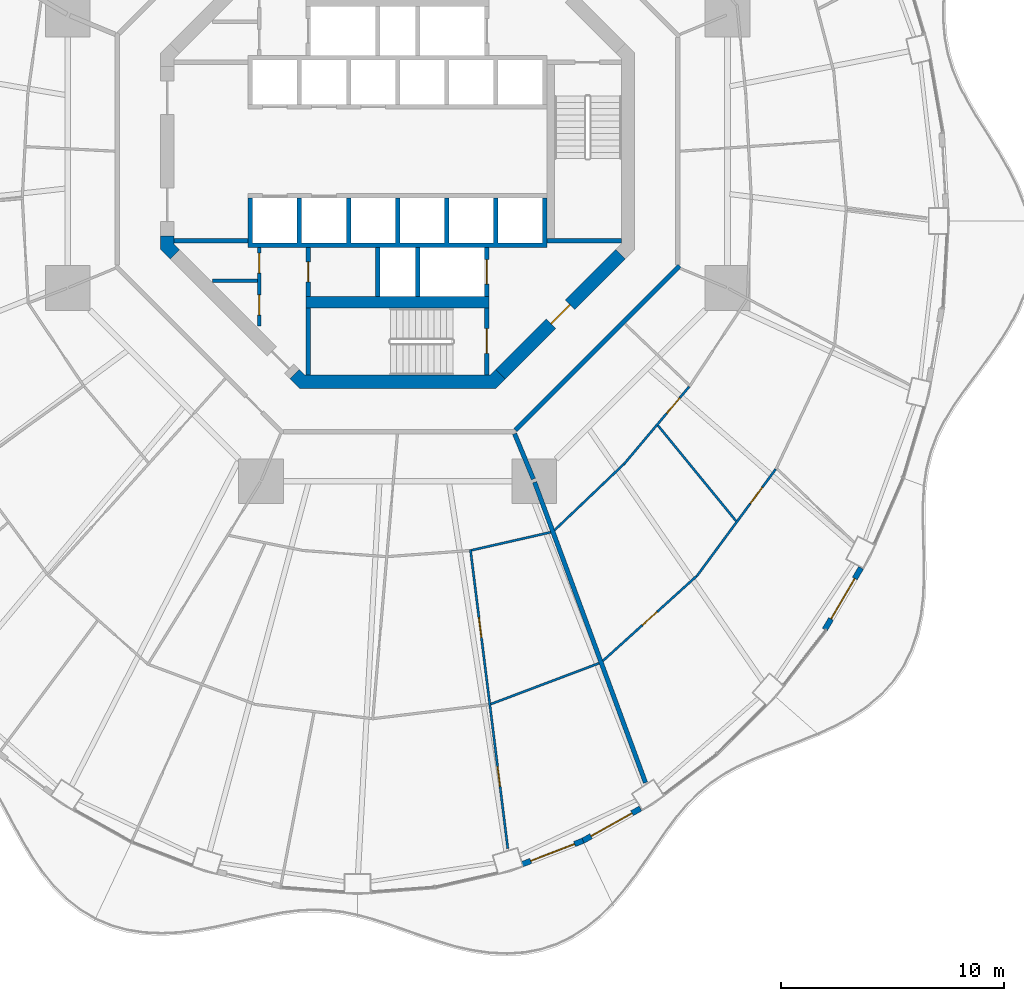
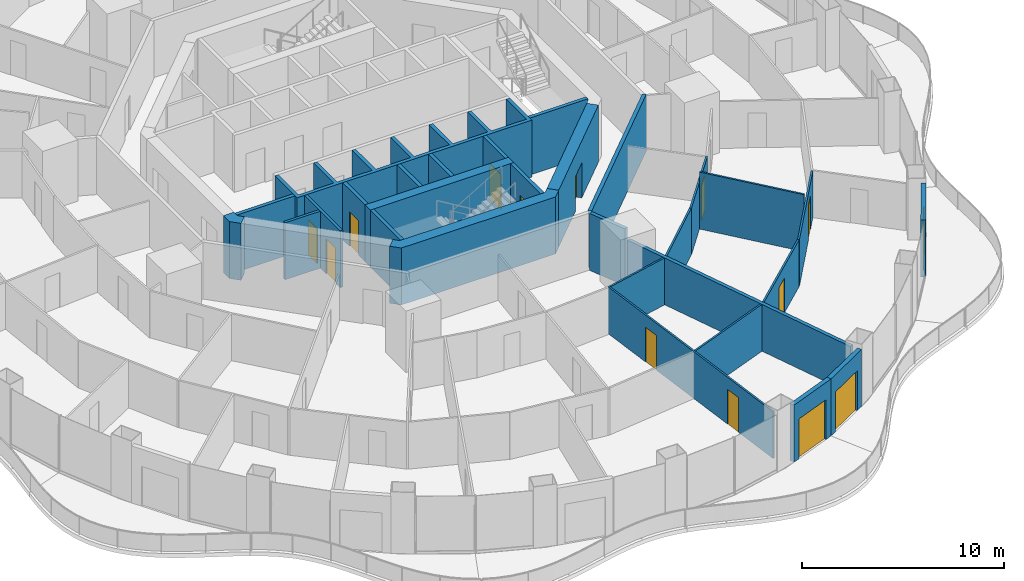
# One storey, part 12 of 19: 29 walls, 14 doors, 14 openings.
"""IFC4 building model written with IfcOpenShell, lengths in metres."""

import ifcopenshell
import ifcopenshell.guid

model = None  # the IFC model being written
_history = None  # IfcOwnerHistory: only IFC2X3 demands one
_inside = {}  # id of a spatial element -> (the spatial element, [elements in it])
_under = {}  # id of a project, library or spatial element -> (it, [spatial elements below it])
_declared = {}  # id of a project -> (the project, [libraries it declares])
_typed = {}  # id of a type object -> (the type object, [elements of that type])
_made_of = {}  # id of a material, layer set ... -> (it, [elements and type objects made of it])


def new_model(schema):
    """Start an empty IFC model of exactly this schema.

    Asked for "IFC4X3", IfcOpenShell would pick the latest addendum, in which some entities
    have other attributes; the version numbers below select the first issue.
    IFC2X3 requires an IfcOwnerHistory on every rooted entity: one is made here for all.
    """
    global model, _history
    if schema == "IFC4X3":
        model = ifcopenshell.file(schema_version=(4, 3, 0, 0))
    else:
        model = ifcopenshell.file(schema=schema)
    _inside.clear()
    _under.clear()
    _declared.clear()
    _typed.clear()
    _made_of.clear()
    _history = None
    if model.schema == "IFC2X3":
        org = make("IfcOrganization", Name="unknown")
        user = make(
            "IfcPersonAndOrganization",
            ThePerson=make("IfcPerson", FamilyName="unknown"),
            TheOrganization=org,
        )
        app = make(
            "IfcApplication",
            ApplicationDeveloper=org,
            Version="unknown",
            ApplicationFullName="unknown",
            ApplicationIdentifier="unknown",
        )
        _history = make(
            "IfcOwnerHistory",
            OwningUser=user,
            OwningApplication=app,
            ChangeAction="ADDED",
            CreationDate=0,
        )
    return model


def make(cls, **values):
    """One entity of the class cls with the attributes given. An attribute that is None is left unset."""
    return model.create_entity(
        cls, **{name: value for name, value in values.items() if value is not None}
    )


def rooted(cls, **values):
    """An entity with a GlobalId (a new one), such as an element, a storey or a relation."""
    return make(cls, GlobalId=ifcopenshell.guid.new(), OwnerHistory=_history, **values)


def si_unit(unit_type, name, prefix=None):
    """IfcSIUnit, for example si_unit("LENGTHUNIT", "METRE", prefix="MILLI")."""
    return make("IfcSIUnit", UnitType=unit_type, Prefix=prefix, Name=name)


def assignment(units):
    """IfcUnitAssignment: the units of a project."""
    return None if units is None else make("IfcUnitAssignment", Units=units)


def point(xyz):
    """IfcCartesianPoint."""
    return None if xyz is None else make("IfcCartesianPoint", Coordinates=xyz)


def direction(xyz):
    """IfcDirection."""
    return None if xyz is None else make("IfcDirection", DirectionRatios=xyz)


def frame(location, z_axis=None, x_axis=None):
    """IfcAxis2Placement3D, a coordinate frame: its origin and axes. An axis left out is left unset."""
    return make(
        "IfcAxis2Placement3D",
        Location=point(location),
        Axis=direction(z_axis),
        RefDirection=direction(x_axis),
    )


def frame_2d(location, x_axis=None):
    """IfcAxis2Placement2D, a coordinate frame in the plane: its origin and x axis."""
    return make(
        "IfcAxis2Placement2D", Location=point(location), RefDirection=direction(x_axis)
    )


def origin():
    """The frame at (0, 0, 0) with its axes left unset."""
    return frame((0.0, 0.0, 0.0))


def place(relative_to, where):
    """IfcLocalPlacement: puts the frame where relative to a parent placement (None: the world)."""
    return make(
        "IfcLocalPlacement", PlacementRelTo=relative_to, RelativePlacement=where
    )


def context(
    kind, dimensions, precision=None, world=None, true_north=None, identifier=None
):
    """IfcGeometricRepresentationContext, for example the 3D "Model" context."""
    return make(
        "IfcGeometricRepresentationContext",
        ContextIdentifier=identifier,
        ContextType=kind,
        CoordinateSpaceDimension=dimensions,
        Precision=precision,
        WorldCoordinateSystem=world,
        TrueNorth=true_north,
    )


def subcontext(parent, identifier, kind, view, scale=None):
    """IfcGeometricRepresentationSubContext, for example "Body" below "Model"."""
    return make(
        "IfcGeometricRepresentationSubContext",
        ContextIdentifier=identifier,
        ContextType=kind,
        ParentContext=parent,
        TargetScale=scale,
        TargetView=view,
    )


def project(units=None, contexts=None):
    """IfcProject with its units and contexts."""
    return rooted(
        "IfcProject",
        Name="project",
        RepresentationContexts=contexts,
        UnitsInContext=assignment(units),
    )


def spatial(cls, under=None, at=None, **own):
    """A site, building, storey or space (cls), placed at a placement, below another one or the project."""
    s = rooted(cls, ObjectPlacement=at, **own)
    if under is not None:
        _under.setdefault(under.id(), (under, []))[1].append(s)
    return s


def polyline(points):
    """IfcPolyline through the points."""
    return make("IfcPolyline", Points=[point(p) for p in points])


def profile(cls, at=None, kind="AREA", **sizes):
    """A parametric profile (cls). Its sizes go by their IFC names, for example OverallWidth=200.0."""
    return make(cls, ProfileType=kind, Position=at, **sizes)


def rectangle(**sizes):
    """IfcRectangleProfileDef."""
    return profile("IfcRectangleProfileDef", **sizes)


def outline(outer, holes=None, kind="AREA"):
    """IfcArbitraryClosedProfileDef: a profile drawn as a closed curve; with holes, ...WithVoids."""
    if holes is None:
        return make("IfcArbitraryClosedProfileDef", ProfileType=kind, OuterCurve=outer)
    return make(
        "IfcArbitraryProfileDefWithVoids",
        ProfileType=kind,
        OuterCurve=outer,
        InnerCurves=holes,
    )


def extrude(swept, where, along, depth):
    """IfcExtrudedAreaSolid: the profile swept, set in the frame where, extruded along a direction by depth."""
    return make(
        "IfcExtrudedAreaSolid",
        SweptArea=swept,
        Position=where,
        ExtrudedDirection=direction(along),
        Depth=depth,
    )


def shape(context_of_items, identifier, shape_type, items):
    """IfcShapeRepresentation: the items that make up one representation, for example the "Body"."""
    return make(
        "IfcShapeRepresentation",
        ContextOfItems=context_of_items,
        RepresentationIdentifier=identifier,
        RepresentationType=shape_type,
        Items=items,
    )


def material(Name=None, Category=None):
    """IfcMaterial."""
    return make("IfcMaterial", Name=Name, Category=Category)


def layer(
    of_material, thickness, ventilated=None, Name=None, Category=None, Priority=None
):
    """IfcMaterialLayer: one layer of a wall or slab, of a material (None: an air gap)."""
    return make(
        "IfcMaterialLayer",
        Material=of_material,
        LayerThickness=thickness,
        IsVentilated=ventilated,
        Name=Name,
        Category=Category,
        Priority=Priority,
    )


def layer_set(layers, Name=None):
    """IfcMaterialLayerSet."""
    return make("IfcMaterialLayerSet", MaterialLayers=layers, LayerSetName=Name)


def made_of(thing, what):
    """Note that an element or type object is made of a material, layer set ...; save() writes the relation."""
    if what is not None:
        _made_of.setdefault(what.id(), (what, []))[1].append(thing)
    return thing


def type_object(cls, material=None, **own):
    """A type object (cls), such as IfcWallType, which elements share."""
    return made_of(rooted(cls, **own), material)


def element(
    cls,
    number,
    at=None,
    inside=None,
    cuts=None,
    type_object=None,
    material=None,
    context=None,
    identifier="Body",
    shape_type=None,
    held_by="IfcProductDefinitionShape",
    body=None,
    shapes=None,
    **own,
):
    """One element of the class cls, such as IfcWall. Its Tag is "e" and its number.

    at: its placement. inside: the storey or other place that contains it. cuts: it is an
    opening in that element (IfcRelVoidsElement). A single representation is given by context,
    identifier, shape_type and body (its items); several are given by shapes. held_by: the class
    of the entity that holds the representations. save() writes the other relations.
    """
    e = rooted(cls, Tag="e%d" % number, ObjectPlacement=at, **own)
    if body is not None:
        shapes = [shape(context, identifier, shape_type, body)]
    if shapes is not None:
        e.Representation = make(held_by, Representations=shapes)
    if inside is not None:
        _inside.setdefault(inside.id(), (inside, []))[1].append(e)
    if cuts is not None:
        rooted(
            "IfcRelVoidsElement", RelatingBuildingElement=cuts, RelatedOpeningElement=e
        )
    if type_object is not None:
        _typed.setdefault(type_object.id(), (type_object, []))[1].append(e)
    return made_of(e, material)


def fill(opening, filler):
    """IfcRelFillsElement: the door or window that sits in an opening."""
    return rooted(
        "IfcRelFillsElement",
        RelatingOpeningElement=opening,
        RelatedBuildingElement=filler,
    )


def aggregate(whole, parts):
    """IfcRelAggregates: a whole, such as a stair, and the parts it consists of."""
    return rooted("IfcRelAggregates", RelatingObject=whole, RelatedObjects=parts)


def save(model, path):
    """Write the relations noted so far, then the file.

    IfcRelAggregates (storeys below a building ...), IfcRelContainedInSpatialStructure (elements
    in a storey), IfcRelDefinesByType, IfcRelAssociatesMaterial and IfcRelDeclares: one each for
    every whole, place, type object, material and project.
    """
    for whole, parts in _under.values():
        aggregate(whole, parts)
    for where, things in _inside.values():
        rooted(
            "IfcRelContainedInSpatialStructure",
            RelatedElements=things,
            RelatingStructure=where,
        )
    for kind, things in _typed.values():
        rooted("IfcRelDefinesByType", RelatedObjects=things, RelatingType=kind)
    for what, things in _made_of.values():
        rooted("IfcRelAssociatesMaterial", RelatedObjects=things, RelatingMaterial=what)
    for by, libraries in _declared.values():
        rooted("IfcRelDeclares", RelatingContext=by, RelatedDefinitions=libraries)
    model.write(path)


model = new_model("IFC4")

# Units and contexts
model_context = context("Model", 3, precision=1e-05, world=origin(), true_north=direction((0.0, 1.0)))
body_context = subcontext(model_context, "Body", "Model", "MODEL_VIEW")
ifc_project = project(units=[si_unit("LENGTHUNIT", "METRE"), si_unit("AREAUNIT", "SQUARE_METRE"), si_unit("VOLUMEUNIT", "CUBIC_METRE"), si_unit("PLANEANGLEUNIT", "RADIAN"), si_unit("MASSUNIT", "GRAM", prefix="KILO")], contexts=[model_context])

# Site, building, storey
site_placement = place(None, origin())
site = spatial("IfcSite", under=ifc_project, at=site_placement, CompositionType="ELEMENT")
building_placement = place(site_placement, origin())
building = spatial("IfcBuilding", under=site, at=building_placement, Name="Nagisa Residences", CompositionType="ELEMENT")
storey_placement = place(building_placement, frame((0.0, 0.0, 127.0)))
storey = spatial("IfcBuildingStorey", under=building, at=storey_placement, Name="L31", CompositionType="ELEMENT", Elevation=127.0)

# Walls
ifc_material_1 = material(Name="Gypsum board on steel studs", Category="steel")
ifc_layer_1 = layer(ifc_material_1, 0.199951171875)
ifc_layer_set_1 = layer_set([ifc_layer_1], Name="Apartment compartment wall EI60 200")
wall_type_1 = type_object("IfcWallType", Name="Apartment compartment wall EI60 200", PredefinedType="PARTITIONING", material=ifc_layer_set_1)
wall_1_placement = place(storey_placement, frame((5.24267578125, -12.6572265625, 0.0), z_axis=(0.0, 0.0, 1.0), x_axis=(0.38273085373, -0.923859888513, 0.0)))
element("IfcWall", 1, at=wall_1_placement, inside=storey, type_object=wall_type_1, Name="wall:L31:u04", PredefinedType="PARTITIONING", context=body_context, shape_type="SweptSolid", body=[
    extrude(rectangle(XDim=2.199462890625, YDim=0.199951171875, at=frame_2d((1.099609375, 0.0))), origin(), (0.0, 0.0, 1.0), 3.43994140625),
])
wall_2_placement = place(storey_placement, frame((6.14013671875, -14.8291015625, 0.0), z_axis=(0.0, 0.0, 1.0), x_axis=(0.346169582481, -0.938171956608, 0.0)))
element("IfcWall", 2, at=wall_2_placement, inside=storey, type_object=wall_type_1, Name="wall:L31:u05", PredefinedType="PARTITIONING", context=body_context, shape_type="SweptSolid", body=[
    extrude(rectangle(XDim=14.353515625, YDim=0.199951171875, at=frame_2d((7.1767578125, 0.0))), origin(), (0.0, 0.0, 1.0), 2.827880859375),
])
ifc_material_2 = material(Name="Gypsum board on steel studs", Category="steel")
ifc_layer_2 = layer(ifc_material_2, 0.199951171875)
ifc_layer_set_2 = layer_set([ifc_layer_2], Name="Apartment entry wall EI60 200")
wall_type_2 = type_object("IfcWallType", Name="Apartment entry wall EI60 200", PredefinedType="PARTITIONING", material=ifc_layer_set_2)
wall_3_placement = place(storey_placement, frame((5.275146484375, -12.494140625, 0.0), z_axis=(0.0, 0.0, 1.0), x_axis=(0.707106781187, 0.707106781187, 0.0)))
element("IfcWall", 3, at=wall_3_placement, inside=storey, type_object=wall_type_2, Name="wall:L31:u13", PredefinedType="PARTITIONING", context=body_context, shape_type="SweptSolid", body=[
    extrude(rectangle(XDim=10.4091796875, YDim=0.199951171875, at=frame_2d((5.20458984375, 0.0))), origin(), (0.0, 0.0, 1.0), 3.43994140625),
])

# Wall, openings, doors
ifc_material_3 = material(Name="Gypsum board on steel studs", Category="steel")
ifc_layer_3 = layer(ifc_material_3, 0.10009765625)
ifc_layer_set_3 = layer_set([ifc_layer_3], Name="Apartment partition 100")
wall_type_3 = type_object("IfcWallType", Name="Apartment partition 100", PredefinedType="PARTITIONING", material=ifc_layer_set_3)
wall_4_placement = place(storey_placement, frame((3.26171875, -17.83935546875, 0.0), z_axis=(0.0, 0.0, 1.0), x_axis=(0.124074750982, -0.992272873845, 0.0)))
wall_4 = element("IfcWall", 4, at=wall_4_placement, inside=storey, type_object=wall_type_3, Name="wall:L31:u83", PredefinedType="PARTITIONING", context=body_context, shape_type="SweptSolid", body=[
    extrude(rectangle(XDim=13.51611328125, YDim=0.10009765625, at=frame_2d((6.758056640625, 0.0))), origin(), (0.0, 0.0, 1.0), 2.827880859375),
])
opening_1_placement = place(wall_4_placement, frame((3.07763671875, 0.0, 0.0)))
opening_1 = element("IfcOpeningElement", 5, at=opening_1_placement, cuts=wall_4, Name="Opening L31-U23", PredefinedType="OPENING", context=body_context, shape_type="SweptSolid", body=[
    extrude(rectangle(XDim=0.89990234375, YDim=2.10009765625, at=frame_2d((0.449951171875, 1.050048828125))), frame((0.0, 0.06005859375, 0.0), z_axis=(0.0, -1.0, 0.0), x_axis=(1.0, 0.0, 0.0)), (0.0, 0.0, 1.0), 0.1201171875),
])
opening_2_placement = place(wall_4_placement, frame((9.810791015625, 0.0, 0.0)))
opening_2 = element("IfcOpeningElement", 6, at=opening_2_placement, cuts=wall_4, Name="Opening L31-U30", PredefinedType="OPENING", context=body_context, shape_type="SweptSolid", body=[
    extrude(rectangle(XDim=0.89990234375, YDim=2.10009765625, at=frame_2d((0.449951171875, 1.050048828125))), frame((0.0, 0.06005859375, 0.0), z_axis=(0.0, -1.0, 0.0), x_axis=(1.0, 0.0, 0.0)), (0.0, 0.0, 1.0), 0.1201171875),
])
ifc_material_4 = material(Name="Timber door set", Category="wood")
door_type_1 = type_object("IfcDoorType", Name="Apartment door 900x2100", OperationType="NOTDEFINED", PredefinedType="DOOR", material=ifc_material_4)
door_1_placement = place(opening_1_placement, origin())
door_1 = element("IfcDoor", 7, at=door_1_placement, inside=storey, type_object=door_type_1, Name="Door to dining room, Apartment 31B", OperationType="SINGLE_SWING_LEFT", OverallHeight=2.10009765625, OverallWidth=0.89990234375, PredefinedType="DOOR", context=body_context, shape_type="SweptSolid", body=[
    extrude(rectangle(XDim=0.89990234375, YDim=2.10009765625, at=frame_2d((0.449951171875, 1.050048828125))), frame((0.0, 0.02490234375, 0.0), z_axis=(0.0, -1.0, 0.0), x_axis=(1.0, 0.0, 0.0)), (0.0, 0.0, 1.0), 0.050048828125),
])
fill(opening_1, door_1)
door_2_placement = place(opening_2_placement, origin())
door_2 = element("IfcDoor", 8, at=door_2_placement, inside=storey, type_object=door_type_1, Name="Door to master bedroom, Apartment 31B", OperationType="SINGLE_SWING_RIGHT", OverallHeight=2.10009765625, OverallWidth=0.89990234375, PredefinedType="DOOR", context=body_context, shape_type="SweptSolid", body=[
    extrude(rectangle(XDim=0.89990234375, YDim=2.10009765625, at=frame_2d((0.449951171875, 1.050048828125))), frame((0.0, 0.02490234375, 0.0), z_axis=(0.0, -1.0, 0.0), x_axis=(1.0, 0.0, 0.0)), (0.0, 0.0, 1.0), 0.050048828125),
])
fill(opening_2, door_2)

# Walls
wall_5_placement = place(storey_placement, frame((3.316650390625, -17.8779296875, 0.0), z_axis=(0.0, 0.0, 1.0), x_axis=(0.975095905288, 0.221783623135, 0.0)))
element("IfcWall", 9, at=wall_5_placement, inside=storey, type_object=wall_type_3, Name="wall:L31:u84", PredefinedType="PARTITIONING", context=body_context, shape_type="SweptSolid", body=[
    extrude(rectangle(XDim=3.635986328125, YDim=0.10009765625, at=frame_2d((1.81787109375, 0.0))), origin(), (0.0, 0.0, 1.0), 2.827880859375),
])
wall_6_placement = place(storey_placement, frame((4.177734375, -24.77294921875, 0.0), z_axis=(0.0, 0.0, 1.0), x_axis=(0.935583811437, 0.353104703702, 0.0)))
element("IfcWall", 10, at=wall_6_placement, inside=storey, type_object=wall_type_3, Name="wall:L31:u85", PredefinedType="PARTITIONING", context=body_context, shape_type="SweptSolid", body=[
    extrude(rectangle(XDim=5.18359375, YDim=0.10009765625, at=frame_2d((2.591796875, 0.0))), origin(), (0.0, 0.0, 1.0), 2.827880859375),
])
wall_7_placement = place(storey_placement, frame((7.031982421875, -16.98046875, 0.0), z_axis=(0.0, 0.0, 1.0), x_axis=(0.723709759148, 0.690104473622, 0.0)))
element("IfcWall", 11, at=wall_7_placement, inside=storey, type_object=wall_type_3, Name="wall:L31:u86", PredefinedType="PARTITIONING", context=body_context, shape_type="SweptSolid", body=[
    extrude(rectangle(XDim=4.286376953125, YDim=0.10009765625, at=frame_2d((2.14306640625, 0.0))), origin(), (0.0, 0.0, 1.0), 2.827880859375),
])

# Wall, opening, door
wall_8_placement = place(storey_placement, frame((9.195068359375, -22.84033203125, 0.0), z_axis=(0.0, 0.0, 1.0), x_axis=(0.741675855479, 0.670758470241, 0.0)))
wall_8 = element("IfcWall", 12, at=wall_8_placement, inside=storey, type_object=wall_type_3, Name="wall:L31:u87", PredefinedType="PARTITIONING", context=body_context, shape_type="SweptSolid", body=[
    extrude(rectangle(XDim=5.65625, YDim=0.10009765625, at=frame_2d((2.828125, 0.0))), origin(), (0.0, 0.0, 1.0), 2.827880859375),
])
opening_3_placement = place(wall_8_placement, frame((2.3779296875, 0.0, 0.0)))
opening_3 = element("IfcOpeningElement", 13, at=opening_3_placement, cuts=wall_8, Name="Opening L31-U52", PredefinedType="OPENING", context=body_context, shape_type="SweptSolid", body=[
    extrude(rectangle(XDim=0.89990234375, YDim=2.10009765625, at=frame_2d((0.449951171875, 1.050048828125))), frame((0.0, 0.06005859375, 0.0), z_axis=(0.0, -1.0, 0.0), x_axis=(1.0, 0.0, 0.0)), (0.0, 0.0, 1.0), 0.1201171875),
])
door_3_placement = place(opening_3_placement, origin())
door_3 = element("IfcDoor", 14, at=door_3_placement, inside=storey, type_object=door_type_1, Name="Door to dining room, Apartment 31C", OperationType="SINGLE_SWING_RIGHT", OverallHeight=2.10009765625, OverallWidth=0.89990234375, PredefinedType="DOOR", context=body_context, shape_type="SweptSolid", body=[
    extrude(rectangle(XDim=0.89990234375, YDim=2.10009765625, at=frame_2d((0.449951171875, 1.050048828125))), frame((0.0, 0.02490234375, 0.0), z_axis=(0.0, -1.0, 0.0), x_axis=(1.0, 0.0, 0.0)), (0.0, 0.0, 1.0), 0.050048828125),
])
fill(opening_3, door_3)

wall_9_placement = place(storey_placement, frame((10.13818359375, -14.026123046875, 0.0), z_axis=(0.0, 0.0, 1.0), x_axis=(0.644051444483, 0.764982180746, 0.0)))
wall_9 = element("IfcWall", 15, at=wall_9_placement, inside=storey, type_object=wall_type_3, Name="wall:L31:u88", PredefinedType="PARTITIONING", context=body_context, shape_type="SweptSolid", body=[
    extrude(rectangle(XDim=4.54833984375, YDim=0.10009765625, at=frame_2d((2.274169921875, 0.0))), origin(), (0.0, 0.0, 1.0), 2.827880859375),
])
opening_4_placement = place(wall_9_placement, frame((2.986328125, 0.0, 0.0)))
opening_4 = element("IfcOpeningElement", 16, at=opening_4_placement, cuts=wall_9, Name="Opening L31-U50", PredefinedType="OPENING", context=body_context, shape_type="SweptSolid", body=[
    extrude(rectangle(XDim=0.89990234375, YDim=2.10009765625, at=frame_2d((0.449951171875, 1.050048828125))), frame((0.0, 0.06005859375, 0.0), z_axis=(0.0, -1.0, 0.0), x_axis=(1.0, 0.0, 0.0)), (0.0, 0.0, 1.0), 0.1201171875),
])
door_4_placement = place(opening_4_placement, origin())
door_4 = element("IfcDoor", 17, at=door_4_placement, inside=storey, type_object=door_type_1, Name="Door to store, Apartment 31C", OperationType="SINGLE_SWING_RIGHT", OverallHeight=2.10009765625, OverallWidth=0.89990234375, PredefinedType="DOOR", context=body_context, shape_type="SweptSolid", body=[
    extrude(rectangle(XDim=0.89990234375, YDim=2.10009765625, at=frame_2d((0.449951171875, 1.050048828125))), frame((0.0, 0.02490234375, 0.0), z_axis=(0.0, -1.0, 0.0), x_axis=(1.0, 0.0, 0.0)), (0.0, 0.0, 1.0), 0.050048828125),
])
fill(opening_4, door_4)

wall_10_placement = place(storey_placement, frame((13.3974609375, -19.05322265625, 0.0), z_axis=(0.0, 0.0, 1.0), x_axis=(0.593522299069, 0.804817544856, 0.0)))
wall_10 = element("IfcWall", 18, at=wall_10_placement, inside=storey, type_object=wall_type_3, Name="wall:L31:u89", PredefinedType="PARTITIONING", context=body_context, shape_type="SweptSolid", body=[
    extrude(rectangle(XDim=5.97607421875, YDim=0.10009765625, at=frame_2d((2.988037109375, 0.0))), origin(), (0.0, 0.0, 1.0), 2.827880859375),
])
opening_5_placement = place(wall_10_placement, frame((4.056884765625, 0.0, 0.0)))
opening_5 = element("IfcOpeningElement", 19, at=opening_5_placement, cuts=wall_10, Name="Opening L31-U48", PredefinedType="OPENING", context=body_context, shape_type="SweptSolid", body=[
    extrude(rectangle(XDim=0.89990234375, YDim=2.10009765625, at=frame_2d((0.449951171875, 1.050048828125))), frame((0.0, 0.06005859375, 0.0), z_axis=(0.0, -1.0, 0.0), x_axis=(1.0, 0.0, 0.0)), (0.0, 0.0, 1.0), 0.1201171875),
])
door_5_placement = place(opening_5_placement, frame((0.89990234375, 0.0, 0.0), x_axis=(-1.0, 0.0, 0.0)))
door_5 = element("IfcDoor", 20, at=door_5_placement, inside=storey, type_object=door_type_1, Name="Door to living room, Apartment 31C", OperationType="SINGLE_SWING_LEFT", OverallHeight=2.10009765625, OverallWidth=0.89990234375, PredefinedType="DOOR", context=body_context, shape_type="SweptSolid", body=[
    extrude(rectangle(XDim=0.89990234375, YDim=2.10009765625, at=frame_2d((0.449951171875, 1.050048828125))), frame((0.0, 0.02490234375, 0.0), z_axis=(0.0, -1.0, 0.0), x_axis=(1.0, 0.0, 0.0)), (0.0, 0.0, 1.0), 0.050048828125),
])
fill(opening_5, door_5)

# Wall
wall_11_placement = place(storey_placement, frame((11.666748046875, -12.286865234375, 0.0), z_axis=(0.0, 0.0, 1.0), x_axis=(0.633038312428, -0.774120465431, 0.0)))
element("IfcWall", 21, at=wall_11_placement, inside=storey, type_object=wall_type_3, Name="wall:L31:u90", PredefinedType="PARTITIONING", context=body_context, shape_type="SweptSolid", body=[
    extrude(rectangle(XDim=5.532470703125, YDim=0.10009765625, at=frame_2d((2.76611328125, 0.0))), origin(), (0.0, 0.0, 1.0), 3.43994140625),
])

# Wall, opening, door
ifc_material_5 = material(Name="Precast concrete C40/50", Category="concrete")
ifc_layer_4 = layer(ifc_material_5, 0.25)
ifc_layer_set_4 = layer_set([ifc_layer_4], Name="BALCONY DOOR WALL 250")
wall_type_4 = type_object("IfcWallType", Name="BALCONY DOOR WALL 250", PredefinedType="SOLIDWALL", material=ifc_layer_set_4)
wall_12_placement = place(storey_placement, frame((8.3095703125, -30.897705078125, 0.0), z_axis=(0.0, 0.0, 1.0), x_axis=(-0.932845344347, -0.360277064952, 0.0)))
wall_12 = element("IfcWall", 22, at=wall_12_placement, inside=storey, type_object=wall_type_4, Name="wall:L31:bay38", PredefinedType="SOLIDWALL", context=body_context, shape_type="SweptSolid", body=[
    extrude(rectangle(XDim=2.92333984375, YDim=0.25, at=frame_2d((1.461669921875, 0.0))), origin(), (0.0, 0.0, 1.0), 3.43994140625),
])
opening_6_placement = place(wall_12_placement, frame((0.41162109375, 0.0, 0.0)))
opening_6 = element("IfcOpeningElement", 23, at=opening_6_placement, cuts=wall_12, Name="Opening BD-L31-13", PredefinedType="OPENING", context=body_context, shape_type="SweptSolid", body=[
    extrude(rectangle(XDim=2.10009765625, YDim=2.39990234375, at=frame_2d((1.050048828125, 1.199951171875))), frame((0.0, 0.135009765625, 0.0), z_axis=(0.0, -1.0, 0.0), x_axis=(1.0, 0.0, 0.0)), (0.0, 0.0, 1.0), 0.27001953125),
])
ifc_material_6 = material(Name="Aluminium and clear glass", Category="aluminium")
door_type_2 = type_object("IfcDoorType", Name="BALCONY SLIDING DOOR 2100x2400", OperationType="SLIDING_TO_LEFT", PredefinedType="DOOR", material=ifc_material_6)
door_6_placement = place(opening_6_placement, origin())
door_6 = element("IfcDoor", 24, at=door_6_placement, inside=storey, type_object=door_type_2, Name="door:L31:bay38", OperationType="SLIDING_TO_LEFT", OverallHeight=2.39990234375, OverallWidth=2.10009765625, PredefinedType="DOOR", context=body_context, shape_type="SweptSolid", body=[
    extrude(rectangle(XDim=2.10009765625, YDim=2.39990234375, at=frame_2d((1.050048828125, 1.199951171875))), frame((0.0, 0.02490234375, 0.0), z_axis=(0.0, -1.0, 0.0), x_axis=(1.0, 0.0, 0.0)), (0.0, 0.0, 1.0), 0.050048828125),
])
fill(opening_6, door_6)

wall_13_placement = place(storey_placement, frame((10.883056640625, -29.451904296875, 0.0), z_axis=(0.0, 0.0, 1.0), x_axis=(-0.87206688547, -0.489386705241, 0.0)))
wall_13 = element("IfcWall", 25, at=wall_13_placement, inside=storey, type_object=wall_type_4, Name="wall:L31:bay39", PredefinedType="SOLIDWALL", context=body_context, shape_type="SweptSolid", body=[
    extrude(rectangle(XDim=2.9697265625, YDim=0.25, at=frame_2d((1.48486328125, 0.0))), origin(), (0.0, 0.0, 1.0), 3.43994140625),
])
opening_7_placement = place(wall_13_placement, frame((0.434814453125, 0.0, 0.0)))
opening_7 = element("IfcOpeningElement", 26, at=opening_7_placement, cuts=wall_13, Name="Opening BD-L31-14", PredefinedType="OPENING", context=body_context, shape_type="SweptSolid", body=[
    extrude(rectangle(XDim=2.10009765625, YDim=2.39990234375, at=frame_2d((1.050048828125, 1.199951171875))), frame((0.0, 0.135009765625, 0.0), z_axis=(0.0, -1.0, 0.0), x_axis=(1.0, 0.0, 0.0)), (0.0, 0.0, 1.0), 0.27001953125),
])
door_7_placement = place(opening_7_placement, origin())
door_7 = element("IfcDoor", 27, at=door_7_placement, inside=storey, type_object=door_type_2, Name="door:L31:bay39", OperationType="SLIDING_TO_LEFT", OverallHeight=2.39990234375, OverallWidth=2.10009765625, PredefinedType="DOOR", context=body_context, shape_type="SweptSolid", body=[
    extrude(rectangle(XDim=2.10009765625, YDim=2.39990234375, at=frame_2d((1.050048828125, 1.199951171875))), frame((0.0, 0.02490234375, 0.0), z_axis=(0.0, -1.0, 0.0), x_axis=(1.0, 0.0, 0.0)), (0.0, 0.0, 1.0), 0.050048828125),
])
fill(opening_7, door_7)

wall_14_placement = place(storey_placement, frame((20.768310546875, -18.669189453125, 0.0), z_axis=(0.0, 0.0, 1.0), x_axis=(-0.506314982873, -0.862348617508, 0.0)))
wall_14 = element("IfcWall", 28, at=wall_14_placement, inside=storey, type_object=wall_type_4, Name="wall:L31:bay43", PredefinedType="SOLIDWALL", context=body_context, shape_type="SweptSolid", body=[
    extrude(rectangle(XDim=3.20849609375, YDim=0.25, at=frame_2d((1.604248046875, 0.0))), origin(), (0.0, 0.0, 1.0), 3.43994140625),
])
opening_8_placement = place(wall_14_placement, frame((0.55419921875, 0.0, 0.0)))
opening_8 = element("IfcOpeningElement", 29, at=opening_8_placement, cuts=wall_14, Name="Opening BD-L31-15", PredefinedType="OPENING", context=body_context, shape_type="SweptSolid", body=[
    extrude(rectangle(XDim=2.10009765625, YDim=2.39990234375, at=frame_2d((1.050048828125, 1.199951171875))), frame((0.0, 0.135009765625, 0.0), z_axis=(0.0, -1.0, 0.0), x_axis=(1.0, 0.0, 0.0)), (0.0, 0.0, 1.0), 0.27001953125),
])
door_8_placement = place(opening_8_placement, origin())
door_8 = element("IfcDoor", 30, at=door_8_placement, inside=storey, type_object=door_type_2, Name="door:L31:bay43", OperationType="SLIDING_TO_LEFT", OverallHeight=2.39990234375, OverallWidth=2.10009765625, PredefinedType="DOOR", context=body_context, shape_type="SweptSolid", body=[
    extrude(rectangle(XDim=2.10009765625, YDim=2.39990234375, at=frame_2d((1.050048828125, 1.199951171875))), frame((0.0, 0.02490234375, 0.0), z_axis=(0.0, -1.0, 0.0), x_axis=(1.0, 0.0, 0.0)), (0.0, 0.0, 1.0), 0.050048828125),
])
fill(opening_8, door_8)

# Wall, openings, doors
ifc_material_7 = material(Name="Gypsum board on steel studs", Category="steel")
ifc_layer_5 = layer(ifc_material_7, 0.14990234375)
ifc_layer_set_5 = layer_set([ifc_layer_5], Name="Core partition 150")
wall_type_5 = type_object("IfcWallType", Name="Core partition 150", PredefinedType="PARTITIONING", material=ifc_layer_set_5)
wall_15_placement = place(storey_placement, frame((-6.199951171875, -7.826904296875, 0.0), z_axis=(0.0, 0.0, 1.0), x_axis=(0.0, 1.0, 0.0)))
wall_15 = element("IfcWall", 31, at=wall_15_placement, inside=storey, type_object=wall_type_5, Name="wall:L31:SWp", PredefinedType="PARTITIONING", context=body_context, shape_type="SweptSolid", body=[
    extrude(rectangle(XDim=3.52685546875, YDim=0.14990234375, at=frame_2d((1.763427734375, 0.0))), origin(), (0.0, 0.0, 1.0), 3.43994140625),
])
opening_9_placement = place(wall_15_placement, frame((2.364501953125, 0.0, 0.0)))
opening_9 = element("IfcOpeningElement", 32, at=opening_9_placement, cuts=wall_15, Name="Opening L31-C14", PredefinedType="OPENING", context=body_context, shape_type="SweptSolid", body=[
    extrude(rectangle(XDim=0.89990234375, YDim=2.10009765625, at=frame_2d((0.449951171875, 1.050048828125))), frame((0.0, 0.0849609375, 0.0), z_axis=(0.0, -1.0, 0.0), x_axis=(1.0, 0.0, 0.0)), (0.0, 0.0, 1.0), 0.169921875),
])
opening_10_placement = place(wall_15_placement, frame((0.488525390625, 0.0, 0.0)))
opening_10 = element("IfcOpeningElement", 33, at=opening_10_placement, cuts=wall_15, Name="Opening L31-C15", PredefinedType="OPENING", context=body_context, shape_type="SweptSolid", body=[
    extrude(rectangle(XDim=0.89990234375, YDim=2.10009765625, at=frame_2d((0.449951171875, 1.050048828125))), frame((0.0, 0.0849609375, 0.0), z_axis=(0.0, -1.0, 0.0), x_axis=(1.0, 0.0, 0.0)), (0.0, 0.0, 1.0), 0.169921875),
])
ifc_material_8 = material(Name="Steel fire door", Category="steel")
door_type_3 = type_object("IfcDoorType", Name="Fire door EI30 900x2100 single swing", OperationType="NOTDEFINED", PredefinedType="DOOR", material=ifc_material_8)
door_9_placement = place(opening_9_placement, origin())
door_9 = element("IfcDoor", 34, at=door_9_placement, inside=storey, type_object=door_type_3, Name="Refuse room door L31", OperationType="SINGLE_SWING_RIGHT", OverallHeight=2.10009765625, OverallWidth=0.89990234375, PredefinedType="DOOR", context=body_context, shape_type="SweptSolid", body=[
    extrude(rectangle(XDim=0.89990234375, YDim=2.10009765625, at=frame_2d((0.449951171875, 1.050048828125))), frame((0.0, 0.02490234375, 0.0), z_axis=(0.0, -1.0, 0.0), x_axis=(1.0, 0.0, 0.0)), (0.0, 0.0, 1.0), 0.050048828125),
])
fill(opening_9, door_9)
door_10_placement = place(opening_10_placement, origin())
door_10 = element("IfcDoor", 35, at=door_10_placement, inside=storey, type_object=door_type_3, Name="Hose reel room door L31", OperationType="SINGLE_SWING_RIGHT", OverallHeight=2.10009765625, OverallWidth=0.89990234375, PredefinedType="DOOR", context=body_context, shape_type="SweptSolid", body=[
    extrude(rectangle(XDim=0.89990234375, YDim=2.10009765625, at=frame_2d((0.449951171875, 1.050048828125))), frame((0.0, 0.02490234375, 0.0), z_axis=(0.0, -1.0, 0.0), x_axis=(1.0, 0.0, 0.0)), (0.0, 0.0, 1.0), 0.050048828125),
])
fill(opening_10, door_10)

# Walls
wall_16_placement = place(storey_placement, frame((-8.301025390625, -5.800048828125, 0.0), z_axis=(0.0, 0.0, 1.0), x_axis=(1.0, 0.0, 0.0)))
element("IfcWall", 36, at=wall_16_placement, inside=storey, type_object=wall_type_5, Name="wall:L31:SWq", PredefinedType="PARTITIONING", context=body_context, shape_type="SweptSolid", body=[
    extrude(rectangle(XDim=2.026123046875, YDim=0.14990234375, at=frame_2d((1.01318359375, 0.0))), origin(), (0.0, 0.0, 1.0), 3.43994140625),
])
ifc_material_9 = material(Name="Gypsum board on steel studs", Category="steel")
ifc_layer_6 = layer(ifc_material_9, 0.199951171875)
ifc_layer_set_6 = layer_set([ifc_layer_6], Name="Core partition 200")
wall_type_6 = type_object("IfcWallType", Name="Core partition 200", PredefinedType="PARTITIONING", material=ifc_layer_set_6)
wall_17_placement = place(storey_placement, frame((-10.024658203125, -4.0, 0.0), z_axis=(0.0, 0.0, 1.0), x_axis=(1.0, 0.0, 0.0)))
element("IfcWall", 37, at=wall_17_placement, inside=storey, type_object=wall_type_6, Name="wall:L31:PSW", PredefinedType="PARTITIONING", context=body_context, shape_type="SweptSolid", body=[
    extrude(rectangle(XDim=3.32470703125, YDim=0.199951171875, at=frame_2d((1.662353515625, 0.0))), origin(), (0.0, 0.0, 1.0), 3.43994140625),
])

# Wall, opening, door
ifc_material_10 = material(Name="Concrete C60", Category="concrete")
ifc_layer_7 = layer(ifc_material_10, 0.60009765625)
ifc_layer_set_7 = layer_set([ifc_layer_7], Name="Core shear wall 600")
wall_type_7 = type_object("IfcWallType", Name="Core shear wall 600", PredefinedType="SHEAR", material=ifc_layer_set_7)
wall_18_placement = place(storey_placement, frame((4.613037109375, -9.98828125, 0.0), z_axis=(0.0, 0.0, 1.0), x_axis=(0.707106781187, 0.707106781187, 0.0)))
wall_18 = element("IfcWall", 38, at=wall_18_placement, inside=storey, type_object=wall_type_7, Name="wall:L31:core:flat7", PredefinedType="SHEAR", context=body_context, shape_type="SweptSolid", body=[
    extrude(rectangle(XDim=7.601806640625, YDim=0.60009765625, at=frame_2d((3.80078125, 0.0))), origin(), (0.0, 0.0, 1.0), 3.43994140625),
])
opening_11_placement = place(wall_18_placement, frame((3.200927734375, 0.0, 0.0)))
opening_11 = element("IfcOpeningElement", 39, at=opening_11_placement, cuts=wall_18, Name="Opening L31-C18", PredefinedType="OPENING", context=body_context, shape_type="SweptSolid", body=[
    extrude(rectangle(XDim=1.199951171875, YDim=2.10009765625, at=frame_2d((0.60009765625, 1.050048828125))), frame((0.0, 0.31005859375, 0.0), z_axis=(0.0, -1.0, 0.0), x_axis=(1.0, 0.0, 0.0)), (0.0, 0.0, 1.0), 0.6201171875),
])
ifc_material_11 = material(Name="Steel fire door", Category="steel")
door_type_4 = type_object("IfcDoorType", Name="Fire door EI60 1200x2100 single swing", OperationType="NOTDEFINED", PredefinedType="DOOR", material=ifc_material_11)
door_11_placement = place(opening_11_placement, origin())
door_11 = element("IfcDoor", 40, at=door_11_placement, inside=storey, type_object=door_type_4, Name="Firefighting lobby 2 door L31", OperationType="SINGLE_SWING_RIGHT", OverallHeight=2.10009765625, OverallWidth=1.199951171875, PredefinedType="DOOR", context=body_context, shape_type="SweptSolid", body=[
    extrude(rectangle(XDim=1.199951171875, YDim=2.10009765625, at=frame_2d((0.60009765625, 1.050048828125))), frame((0.0, 0.02490234375, 0.0), z_axis=(0.0, -1.0, 0.0), x_axis=(1.0, 0.0, 0.0)), (0.0, 0.0, 1.0), 0.050048828125),
])
fill(opening_11, door_11)

# Walls
wall_19_placement = place(storey_placement, origin())
element("IfcWall", 41, at=wall_19_placement, inside=storey, type_object=wall_type_7, Name="wall:L31:core:pier4", PredefinedType="SHEAR", context=body_context, shape_type="SweptSolid", body=[
    extrude(outline(polyline([(-10.62451171875, -3.80078125), (-10.024658203125, -3.80078125), (-10.024658203125, -4.15234375), (-9.776123046875, -4.40087890625), (-10.200439453125, -4.8251953125), (-10.62451171875, -4.40087890625), (-10.62451171875, -3.80078125)])), origin(), (0.0, 0.0, 1.0), 3.43994140625),
])
wall_20_placement = place(storey_placement, origin())
element("IfcWall", 42, at=wall_20_placement, inside=storey, type_object=wall_type_7, Name="wall:L31:core:flat6", PredefinedType="SHEAR", context=body_context, shape_type="SweptSolid", body=[
    extrude(outline(polyline([(-4.15234375, -10.024658203125), (4.15234375, -10.024658203125), (4.40087890625, -9.776123046875), (4.8251953125, -10.200439453125), (4.40087890625, -10.62451171875), (-4.40087890625, -10.62451171875), (-4.8251953125, -10.200439453125), (-4.40087890625, -9.776123046875), (-4.15234375, -10.024658203125)])), origin(), (0.0, 0.0, 1.0), 3.43994140625),
])

# Wall, opening, door
ifc_material_12 = material(Name="Concrete C60", Category="concrete")
ifc_layer_8 = layer(ifc_material_12, 0.199951171875)
ifc_layer_set_8 = layer_set([ifc_layer_8], Name="Lift shaft wall 200")
wall_type_8 = type_object("IfcWallType", Name="Lift shaft wall 200", PredefinedType="SOLIDWALL", material=ifc_layer_set_8)
wall_21_placement = place(storey_placement, frame((4.0, -6.5, 0.0), z_axis=(0.0, 0.0, 1.0), x_axis=(0.0, 1.0, 0.0)))
wall_21 = element("IfcWall", 43, at=wall_21_placement, inside=storey, type_object=wall_type_8, Name="wall:L31:Sb3", PredefinedType="SOLIDWALL", context=body_context, shape_type="SweptSolid", body=[
    extrude(rectangle(XDim=2.199951171875, YDim=0.199951171875, at=frame_2d((1.10009765625, 0.0))), origin(), (0.0, 0.0, 1.0), 3.43994140625),
])
opening_12_placement = place(wall_21_placement, frame((0.550048828125, 0.0, 0.0)))
opening_12 = element("IfcOpeningElement", 44, at=opening_12_placement, cuts=wall_21, Name="Opening L31-C07", PredefinedType="OPENING", context=body_context, shape_type="SweptSolid", body=[
    extrude(rectangle(XDim=1.10009765625, YDim=2.10009765625, at=frame_2d((0.550048828125, 1.050048828125))), frame((0.0, 0.10986328125, 0.0), z_axis=(0.0, -1.0, 0.0), x_axis=(1.0, 0.0, 0.0)), (0.0, 0.0, 1.0), 0.219970703125),
])
ifc_material_13 = material(Name="Stainless steel", Category="steel")
door_type_5 = type_object("IfcDoorType", Name="Lift landing door 1100x2100", OperationType="DOUBLE_DOOR_SLIDING", PredefinedType="DOOR", material=ifc_material_13)
door_12_placement = place(opening_12_placement, origin())
door_12 = element("IfcDoor", 45, at=door_12_placement, inside=storey, type_object=door_type_5, Name="Landing door FL2 L31", OperationType="DOUBLE_DOOR_SLIDING", OverallHeight=2.10009765625, OverallWidth=1.10009765625, PredefinedType="DOOR", context=body_context, shape_type="SweptSolid", body=[
    extrude(rectangle(XDim=1.10009765625, YDim=2.10009765625, at=frame_2d((0.550048828125, 1.050048828125))), frame((0.0, 0.02490234375, 0.0), z_axis=(0.0, -1.0, 0.0), x_axis=(1.0, 0.0, 0.0)), (0.0, 0.0, 1.0), 0.050048828125),
])
fill(opening_12, door_12)

wall_22_placement = place(storey_placement, frame((-4.0, -6.5, 0.0), z_axis=(0.0, 0.0, 1.0), x_axis=(0.0, 1.0, 0.0)))
wall_22 = element("IfcWall", 46, at=wall_22_placement, inside=storey, type_object=wall_type_8, Name="wall:L31:Sb4", PredefinedType="SOLIDWALL", context=body_context, shape_type="SweptSolid", body=[
    extrude(rectangle(XDim=2.199951171875, YDim=0.199951171875, at=frame_2d((1.10009765625, 0.0))), origin(), (0.0, 0.0, 1.0), 3.43994140625),
])
opening_13_placement = place(wall_22_placement, frame((0.64990234375, 0.0, 0.0)))
opening_13 = element("IfcOpeningElement", 47, at=opening_13_placement, cuts=wall_22, Name="Opening L31-C16", PredefinedType="OPENING", context=body_context, shape_type="SweptSolid", body=[
    extrude(rectangle(XDim=0.89990234375, YDim=2.10009765625, at=frame_2d((0.449951171875, 1.050048828125))), frame((0.0, 0.10986328125, 0.0), z_axis=(0.0, -1.0, 0.0), x_axis=(1.0, 0.0, 0.0)), (0.0, 0.0, 1.0), 0.219970703125),
])
door_13_placement = place(opening_13_placement, frame((0.89990234375, 0.0, 0.0), x_axis=(-1.0, 0.0, 0.0)))
door_13 = element("IfcDoor", 48, at=door_13_placement, inside=storey, type_object=door_type_3, Name="Refuse room door L31", OperationType="SINGLE_SWING_LEFT", OverallHeight=2.10009765625, OverallWidth=0.89990234375, PredefinedType="DOOR", context=body_context, shape_type="SweptSolid", body=[
    extrude(rectangle(XDim=0.89990234375, YDim=2.10009765625, at=frame_2d((0.449951171875, 1.050048828125))), frame((0.0, 0.02490234375, 0.0), z_axis=(0.0, -1.0, 0.0), x_axis=(1.0, 0.0, 0.0)), (0.0, 0.0, 1.0), 0.050048828125),
])
fill(opening_13, door_13)

# Walls
for number, where, z_axis, x_axis, name in (
    (49, (-0.89990234375, -6.5, 0.0), (0.0, 0.0, 1.0), (0.0, 1.0, 0.0), "wall:L31:Sb1"),
    (50, (0.89990234375, -6.5, 0.0), (0.0, 0.0, 1.0), (0.0, 1.0, 0.0), "wall:L31:Sb2"),
):
    element("IfcWall", number, at=place(storey_placement, frame(where, z_axis=z_axis, x_axis=x_axis)), inside=storey, type_object=wall_type_8, Name=name, PredefinedType="SOLIDWALL", context=body_context, shape_type="SweptSolid", body=[
        extrude(rectangle(XDim=2.199951171875, YDim=0.199951171875, at=frame_2d((1.10009765625, 0.0))), origin(), (0.0, 0.0, 1.0), 3.43994140625),
    ])
wall_23_placement = place(storey_placement, origin())
element("IfcWall", 51, at=wall_23_placement, inside=storey, type_object=wall_type_8, Name="wall:L31:Sback", PredefinedType="SOLIDWALL", context=body_context, shape_type="SweptSolid", body=[
    extrude(outline(polyline([(-6.699951171875, -2.10009765625), (-6.5, -2.10009765625), (-6.5, -4.10009765625), (-4.5, -4.10009765625), (-4.5, -2.10009765625), (-4.300048828125, -2.10009765625), (-4.300048828125, -4.10009765625), (-2.300048828125, -4.10009765625), (-2.300048828125, -2.10009765625), (-2.10009765625, -2.10009765625), (-2.10009765625, -4.10009765625), (-0.10009765625, -4.10009765625), (-0.10009765625, -2.10009765625), (0.10009765625, -2.10009765625), (0.10009765625, -4.10009765625), (2.10009765625, -4.10009765625), (2.10009765625, -2.10009765625), (2.300048828125, -2.10009765625), (2.300048828125, -4.10009765625), (4.300048828125, -4.10009765625), (4.300048828125, -2.10009765625), (4.5, -2.10009765625), (4.5, -4.10009765625), (6.5, -4.10009765625), (6.5, -2.10009765625), (6.699951171875, -2.10009765625), (6.699951171875, -4.300048828125), (-6.699951171875, -4.300048828125), (-6.699951171875, -2.10009765625)])), origin(), (0.0, 0.0, 1.0), 3.43994140625),
])

# Wall, opening, door
ifc_material_14 = material(Name="Concrete C60", Category="concrete")
ifc_layer_9 = layer(ifc_material_14, 0.199951171875)
ifc_layer_set_9 = layer_set([ifc_layer_9], Name="Stair enclosure wall 200")
wall_type_9 = type_object("IfcWallType", Name="Stair enclosure wall 200", PredefinedType="SOLIDWALL", material=ifc_layer_set_9)
wall_24_placement = place(storey_placement, frame((4.0, -10.024658203125, 0.0), z_axis=(0.0, 0.0, 1.0), x_axis=(0.0, 1.0, 0.0)))
wall_24 = element("IfcWall", 52, at=wall_24_placement, inside=storey, type_object=wall_type_9, Name="wall:L31:SS_e", PredefinedType="SOLIDWALL", context=body_context, shape_type="SweptSolid", body=[
    extrude(rectangle(XDim=3.0, YDim=0.199951171875, at=frame_2d((1.5, 0.0))), origin(), (0.0, 0.0, 1.0), 3.43994140625),
])
opening_14_placement = place(wall_24_placement, frame((0.974609375, 0.0, 0.0)))
opening_14 = element("IfcOpeningElement", 53, at=opening_14_placement, cuts=wall_24, Name="Opening L31-C11", PredefinedType="OPENING", context=body_context, shape_type="SweptSolid", body=[
    extrude(rectangle(XDim=1.10009765625, YDim=2.10009765625, at=frame_2d((0.550048828125, 1.050048828125))), frame((0.0, 0.10986328125, 0.0), z_axis=(0.0, -1.0, 0.0), x_axis=(1.0, 0.0, 0.0)), (0.0, 0.0, 1.0), 0.219970703125),
])
ifc_material_15 = material(Name="Steel fire door", Category="steel")
door_type_6 = type_object("IfcDoorType", Name="Fire door EI90 1100x2100 single swing", OperationType="NOTDEFINED", PredefinedType="DOOR", material=ifc_material_15)
door_14_placement = place(opening_14_placement, origin())
door_14 = element("IfcDoor", 54, at=door_14_placement, inside=storey, type_object=door_type_6, Name="Stair door ST-S L31", OperationType="SINGLE_SWING_RIGHT", OverallHeight=2.10009765625, OverallWidth=1.10009765625, PredefinedType="DOOR", context=body_context, shape_type="SweptSolid", body=[
    extrude(rectangle(XDim=1.10009765625, YDim=2.10009765625, at=frame_2d((0.550048828125, 1.050048828125))), frame((0.0, 0.02490234375, 0.0), z_axis=(0.0, -1.0, 0.0), x_axis=(1.0, 0.0, 0.0)), (0.0, 0.0, 1.0), 0.050048828125),
])
fill(opening_14, door_14)

# Walls
wall_25_placement = place(storey_placement, origin())
element("IfcWall", 55, at=wall_25_placement, inside=storey, type_object=wall_type_9, Name="wall:L31:SS_w", PredefinedType="SOLIDWALL", context=body_context, shape_type="SweptSolid", body=[
    extrude(outline(polyline([(-3.89990234375, -10.024658203125), (-4.10009765625, -10.024658203125), (-4.10009765625, -7.024658203125), (-3.89990234375, -7.024658203125), (-3.89990234375, -10.024658203125)])), origin(), (0.0, 0.0, 1.0), 3.43994140625),
])
wall_26_placement = place(storey_placement, origin())
element("IfcWall", 56, at=wall_26_placement, inside=storey, type_object=wall_type_9, Name="wall:L31:SS_n", PredefinedType="SOLIDWALL", context=body_context, shape_type="SweptSolid", body=[
    extrude(outline(polyline([(4.10009765625, -7.024658203125), (-4.10009765625, -7.024658203125), (-4.10009765625, -6.5), (4.10009765625, -6.5), (4.10009765625, -7.024658203125)])), origin(), (0.0, 0.0, 1.0), 3.43994140625),
])
wall_27_placement = place(storey_placement, origin())
element("IfcWall", 57, at=wall_27_placement, inside=storey, type_object=wall_type_9, Name="wall:L31:SE_s", PredefinedType="SOLIDWALL", context=body_context, shape_type="SweptSolid", body=[
    extrude(outline(polyline([(10.024658203125, -4.10009765625), (6.699951171875, -4.10009765625), (6.699951171875, -3.89990234375), (10.024658203125, -3.89990234375), (10.024658203125, -4.10009765625)])), origin(), (0.0, 0.0, 1.0), 3.43994140625),
])

save(model, "model.ifc")
